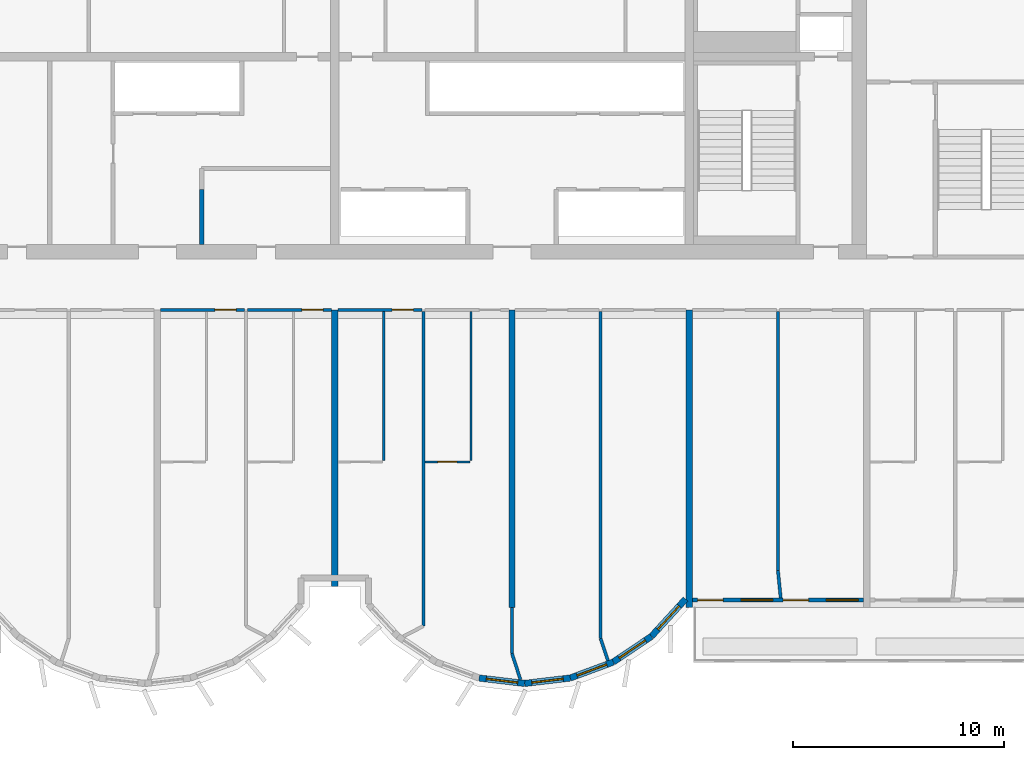
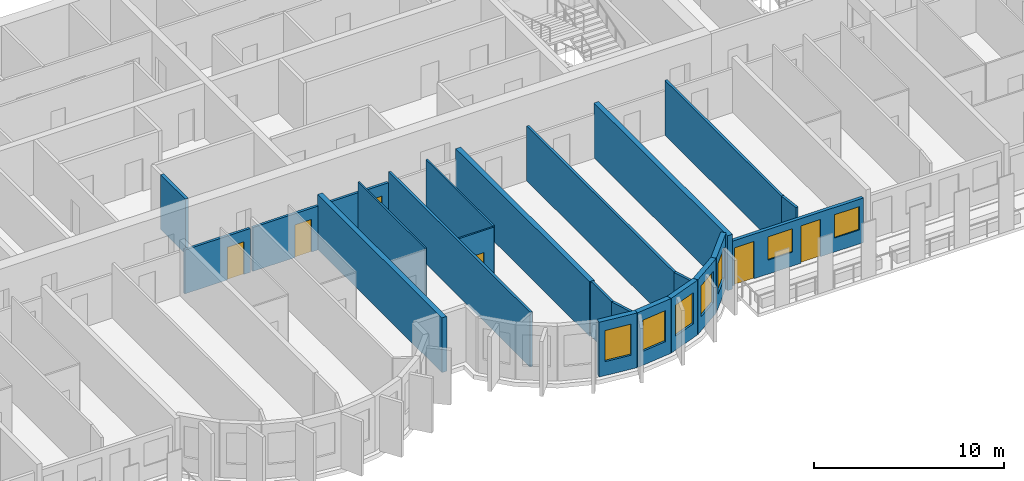
# One storey, part 5 of 13: 23 walls, 7 windows, 6 doors, 13 openings.
"""IFC4 building model written with IfcOpenShell, lengths in metres."""

from ifc_helpers import new_model, si_unit, direction, frame, frame_2d, origin, place, context, subcontext, project, spatial, rectangle, extrude, source, transform, mapped, material, layer, layer_set, type_object, element, fill, save


model = new_model("IFC4")

# Units and contexts
model_context = context("Model", 3, precision=1e-05, world=origin(), true_north=direction((0.0, 1.0)))
body_context = subcontext(model_context, "Body", "Model", "MODEL_VIEW")
ifc_project = project(units=[si_unit("LENGTHUNIT", "METRE"), si_unit("AREAUNIT", "SQUARE_METRE"), si_unit("VOLUMEUNIT", "CUBIC_METRE"), si_unit("PLANEANGLEUNIT", "RADIAN"), si_unit("MASSUNIT", "GRAM", prefix="KILO")], contexts=[model_context])

# Site, building, storey
site_placement = place(None, origin())
site = spatial("IfcSite", under=ifc_project, at=site_placement, CompositionType="ELEMENT")
building_placement = place(site_placement, origin())
building = spatial("IfcBuilding", under=site, at=building_placement, Name="Vanashikhar Sky Hotel", CompositionType="ELEMENT")
storey_placement = place(building_placement, frame((0.0, 0.0, 166.800048828125)))
storey = spatial("IfcBuildingStorey", under=building, at=storey_placement, Name="L40", CompositionType="ELEMENT", Elevation=166.800048828125)

# Walls
ifc_material_1 = material(Name="Concrete M60", Category="concrete")
ifc_layer_1 = layer(ifc_material_1, 0.300048828125)
ifc_layer_set_1 = layer_set([ifc_layer_1], Name="RC shear wall 300 Concrete M60")
wall_type_1 = type_object("IfcWallType", Name="RC shear wall 300 Concrete M60", PredefinedType="SHEAR", material=ifc_layer_set_1)
shared_shape_1 = source(origin(), body_context, "Body", "SweptSolid", [
    extrude(rectangle(XDim=14.10009765625, YDim=0.300048828125, at=frame_2d((7.050048828125, 0.0))), origin(), (0.0, 0.0, 1.0), 3.52001953125),
])
for number, where, z_axis, x_axis, name in (
    (1, (58.800048828125, 5.5, 0.0), (0.0, 0.0, 1.0), (0.0, 1.0, 0.0), "CW-L40-XW08-1"),
    (2, (67.199951171875, 5.5, 0.0), (0.0, 0.0, 1.0), (0.0, 1.0, 0.0), "CW-L40-XW09-1"),
):
    element("IfcWall", number, at=place(storey_placement, frame(where, z_axis=z_axis, x_axis=x_axis)), inside=storey, type_object=wall_type_1, Name=name, PredefinedType="SHEAR", context=body_context, shape_type="MappedRepresentation", body=[
        mapped(shared_shape_1, transform((0.0, 0.0, 0.0), scale=1.0)),
    ])
shared_shape_2 = source(origin(), body_context, "Body", "SweptSolid", [
    extrude(rectangle(XDim=13.10009765625, YDim=0.300048828125, at=frame_2d((6.550048828125, 0.0))), origin(), (0.0, 0.0, 1.0), 3.52001953125),
])
wall_1_placement = place(storey_placement, frame((50.39990234375, 6.5, 0.0), z_axis=(0.0, 0.0, 1.0), x_axis=(0.0, 1.0, 0.0)))
element("IfcWall", 3, at=wall_1_placement, inside=storey, type_object=wall_type_1, Name="CW-L40-XW07-1", PredefinedType="SHEAR", context=body_context, shape_type="MappedRepresentation", body=[
    mapped(shared_shape_2, transform((0.0, 0.0, 0.0), scale=1.0)),
])

# Wall, opening, window
ifc_material_2 = material(Name="Concrete M50", Category="concrete")
ifc_layer_2 = layer(ifc_material_2, 0.300048828125)
ifc_layer_set_2 = layer_set([ifc_layer_2], Name="Lobe wall 300")
wall_type_2 = type_object("IfcWallType", Name="Lobe wall 300", PredefinedType="SOLIDWALL", material=ifc_layer_set_2)
shared_shape_3 = source(origin(), body_context, "Body", "SweptSolid", [
    extrude(rectangle(XDim=2.398193359375, YDim=0.300048828125, at=frame_2d((1.19921875, 0.0))), origin(), (0.0, 0.0, 1.0), 3.52001953125),
])
wall_2_placement = place(storey_placement, frame((65.404296875, 4.13134765625, 0.0), z_axis=(0.0, 0.0, 1.0), x_axis=(0.675374189419, 0.737475222815, 0.0)))
wall_2 = element("IfcWall", 4, at=wall_2_placement, inside=storey, type_object=wall_type_2, Name="Lobe wall", PredefinedType="SOLIDWALL", context=body_context, shape_type="MappedRepresentation", body=[
    mapped(shared_shape_3, transform((0.0, 0.0, 0.0), scale=1.0)),
])
shared_shape_4 = source(origin(), body_context, "Body", "SweptSolid", [
    extrude(rectangle(XDim=1.5, YDim=2.0, at=frame_2d((0.75, 1.0))), frame((0.0, 0.16015625, 0.0), z_axis=(0.0, -1.0, 0.0), x_axis=(1.0, 0.0, 0.0)), (0.0, 0.0, 1.0), 0.320068359375),
])
opening_1_placement = place(wall_2_placement, frame((0.44921875, 0.0, 0.89990234375)))
opening_1 = element("IfcOpeningElement", 5, at=opening_1_placement, cuts=wall_2, Name="Opening WN-2", PredefinedType="OPENING", context=body_context, shape_type="MappedRepresentation", body=[
    mapped(shared_shape_4, transform((0.0, 0.0, 0.0), scale=1.0)),
])
ifc_material_3 = material(Name="Glass", Category="glass")
window_type_1 = type_object("IfcWindowType", Name="Lobe window 1500 x 2000", PartitioningType="SINGLE_PANEL", PredefinedType="WINDOW", material=ifc_material_3)
shared_shape_5 = source(origin(), body_context, "Body", "SweptSolid", [
    extrude(rectangle(XDim=1.5, YDim=2.0, at=frame_2d((0.75, 1.0))), frame((0.0, 0.030029296875, 0.0), z_axis=(0.0, -1.0, 0.0), x_axis=(1.0, 0.0, 0.0)), (0.0, 0.0, 1.0), 0.06005859375),
])
window_1_placement = place(opening_1_placement, origin())
window_1 = element("IfcWindow", 6, at=window_1_placement, inside=storey, type_object=window_type_1, Name="Window WN-2", OverallHeight=2.0, OverallWidth=1.5, PartitioningType="SINGLE_PANEL", PredefinedType="WINDOW", context=body_context, shape_type="MappedRepresentation", body=[
    mapped(shared_shape_5, transform((0.0, 0.0, 0.0), scale=1.0)),
])
fill(opening_1, window_1)

shared_shape_6 = source(origin(), body_context, "Body", "SweptSolid", [
    extrude(rectangle(XDim=2.17578125, YDim=0.300048828125, at=frame_2d((1.087890625, 0.0))), origin(), (0.0, 0.0, 1.0), 3.52001953125),
])
wall_3_placement = place(storey_placement, frame((63.59912109375, 2.91650390625, 0.0), z_axis=(0.0, 0.0, 1.0), x_axis=(0.829625727223, 0.558319937607, 0.0)))
wall_3 = element("IfcWall", 7, at=wall_3_placement, inside=storey, type_object=wall_type_2, Name="Lobe wall", PredefinedType="SOLIDWALL", context=body_context, shape_type="MappedRepresentation", body=[
    mapped(shared_shape_6, transform((0.0, 0.0, 0.0), scale=1.0)),
])
opening_2_placement = place(wall_3_placement, frame((0.337890625, 0.0, 0.89990234375)))
opening_2 = element("IfcOpeningElement", 8, at=opening_2_placement, cuts=wall_3, Name="Opening WN-2", PredefinedType="OPENING", context=body_context, shape_type="MappedRepresentation", body=[
    mapped(shared_shape_4, transform((0.0, 0.0, 0.0), scale=1.0)),
])
window_2_placement = place(opening_2_placement, origin())
window_2 = element("IfcWindow", 9, at=window_2_placement, inside=storey, type_object=window_type_1, Name="Window WN-2", OverallHeight=2.0, OverallWidth=1.5, PartitioningType="SINGLE_PANEL", PredefinedType="WINDOW", context=body_context, shape_type="MappedRepresentation", body=[
    mapped(shared_shape_5, transform((0.0, 0.0, 0.0), scale=1.0)),
])
fill(opening_2, window_2)

shared_shape_7 = source(origin(), body_context, "Body", "SweptSolid", [
    extrude(rectangle(XDim=2.174560546875, YDim=0.300048828125, at=frame_2d((1.08740234375, 0.0))), origin(), (0.0, 0.0, 1.0), 3.52001953125),
])
wall_4_placement = place(storey_placement, frame((57.240478515625, 2.15966796875, 0.0), z_axis=(0.0, 0.0, 1.0), x_axis=(0.993001132889, -0.118104826659, 0.0)))
wall_4 = element("IfcWall", 10, at=wall_4_placement, inside=storey, type_object=wall_type_2, Name="Lobe wall", PredefinedType="SOLIDWALL", context=body_context, shape_type="MappedRepresentation", body=[
    mapped(shared_shape_7, transform((0.0, 0.0, 0.0), scale=1.0)),
])
opening_3_placement = place(wall_4_placement, frame((0.33740234375, 0.0, 0.89990234375)))
opening_3 = element("IfcOpeningElement", 11, at=opening_3_placement, cuts=wall_4, Name="Opening WN-2", PredefinedType="OPENING", context=body_context, shape_type="MappedRepresentation", body=[
    mapped(shared_shape_4, transform((0.0, 0.0, 0.0), scale=1.0)),
])
window_3_placement = place(opening_3_placement, origin())
window_3 = element("IfcWindow", 12, at=window_3_placement, inside=storey, type_object=window_type_1, Name="Window WN-2", OverallHeight=2.0, OverallWidth=1.5, PartitioningType="SINGLE_PANEL", PredefinedType="WINDOW", context=body_context, shape_type="MappedRepresentation", body=[
    mapped(shared_shape_5, transform((0.0, 0.0, 0.0), scale=1.0)),
])
fill(opening_3, window_3)

shared_shape_8 = source(origin(), body_context, "Body", "SweptSolid", [
    extrude(rectangle(XDim=2.1748046875, YDim=0.300048828125, at=frame_2d((1.08740234375, 0.0))), origin(), (0.0, 0.0, 1.0), 3.52001953125),
])
wall_5_placement = place(storey_placement, frame((59.39990234375, 1.90283203125, 0.0), z_axis=(0.0, 0.0, 1.0), x_axis=(0.993002698611, 0.118091661648, 0.0)))
wall_5 = element("IfcWall", 13, at=wall_5_placement, inside=storey, type_object=wall_type_2, Name="Lobe wall", PredefinedType="SOLIDWALL", context=body_context, shape_type="MappedRepresentation", body=[
    mapped(shared_shape_8, transform((0.0, 0.0, 0.0), scale=1.0)),
])
opening_4_placement = place(wall_5_placement, frame((0.33740234375, 0.0, 0.89990234375)))
opening_4 = element("IfcOpeningElement", 14, at=opening_4_placement, cuts=wall_5, Name="Opening WN-2", PredefinedType="OPENING", context=body_context, shape_type="MappedRepresentation", body=[
    mapped(shared_shape_4, transform((0.0, 0.0, 0.0), scale=1.0)),
])
window_4_placement = place(opening_4_placement, origin())
window_4 = element("IfcWindow", 15, at=window_4_placement, inside=storey, type_object=window_type_1, Name="Window WN-2", OverallHeight=2.0, OverallWidth=1.5, PartitioningType="SINGLE_PANEL", PredefinedType="WINDOW", context=body_context, shape_type="MappedRepresentation", body=[
    mapped(shared_shape_5, transform((0.0, 0.0, 0.0), scale=1.0)),
])
fill(opening_4, window_4)

shared_shape_9 = source(origin(), body_context, "Body", "SweptSolid", [
    extrude(rectangle(XDim=2.175537109375, YDim=0.300048828125, at=frame_2d((1.087890625, 0.0))), origin(), (0.0, 0.0, 1.0), 3.52001953125),
])
wall_6_placement = place(storey_placement, frame((61.5595703125, 2.15966796875, 0.0), z_axis=(0.0, 0.0, 1.0), x_axis=(0.937531979054, 0.347899106424, 0.0)))
wall_6 = element("IfcWall", 16, at=wall_6_placement, inside=storey, type_object=wall_type_2, Name="Lobe wall", PredefinedType="SOLIDWALL", context=body_context, shape_type="MappedRepresentation", body=[
    mapped(shared_shape_9, transform((0.0, 0.0, 0.0), scale=1.0)),
])
opening_5_placement = place(wall_6_placement, frame((0.337890625, 0.0, 0.89990234375)))
opening_5 = element("IfcOpeningElement", 17, at=opening_5_placement, cuts=wall_6, Name="Opening WN-2", PredefinedType="OPENING", context=body_context, shape_type="MappedRepresentation", body=[
    mapped(shared_shape_4, transform((0.0, 0.0, 0.0), scale=1.0)),
])
window_5_placement = place(opening_5_placement, origin())
window_5 = element("IfcWindow", 18, at=window_5_placement, inside=storey, type_object=window_type_1, Name="Window WN-2", OverallHeight=2.0, OverallWidth=1.5, PartitioningType="SINGLE_PANEL", PredefinedType="WINDOW", context=body_context, shape_type="MappedRepresentation", body=[
    mapped(shared_shape_5, transform((0.0, 0.0, 0.0), scale=1.0)),
])
fill(opening_5, window_5)

# Wall, openings, windows, doors
ifc_layer_3 = layer(ifc_material_2, 0.199951171875)
ifc_layer_set_3 = layer_set([ifc_layer_3], Name="Front window wall 200")
wall_type_3 = type_object("IfcWallType", Name="Front window wall 200", PredefinedType="SOLIDWALL", material=ifc_layer_set_3)
shared_shape_10 = source(origin(), body_context, "Body", "SweptSolid", [
    extrude(rectangle(XDim=8.099853515625, YDim=0.199951171875, at=frame_2d((4.0498046875, 0.0))), origin(), (0.0, 0.0, 1.0), 2.869873046875),
])
wall_7_placement = place(storey_placement, frame((67.35009765625, 5.85009765625, 0.0), z_axis=(0.0, 0.0, 1.0), x_axis=(1.0, 0.0, 0.0)))
wall_7 = element("IfcWall", 19, at=wall_7_placement, inside=storey, type_object=wall_type_3, Name="Front window wall", PredefinedType="SOLIDWALL", context=body_context, shape_type="MappedRepresentation", body=[
    mapped(shared_shape_10, transform((0.0, 0.0, 0.0), scale=1.0)),
])
shared_shape_11 = source(origin(), body_context, "Body", "SweptSolid", [
    extrude(rectangle(XDim=1.199951171875, YDim=2.39990234375, at=frame_2d((0.60009765625, 1.199951171875))), frame((0.0, 0.10986328125, 0.0), z_axis=(0.0, -1.0, 0.0), x_axis=(1.0, 0.0, 0.0)), (0.0, 0.0, 1.0), 0.219970703125),
])
opening_6_placement = place(wall_7_placement, frame((0.25, 0.0, 0.0)))
opening_6 = element("IfcOpeningElement", 20, at=opening_6_placement, cuts=wall_7, Name="Opening BD-06", PredefinedType="OPENING", context=body_context, shape_type="MappedRepresentation", body=[
    mapped(shared_shape_11, transform((0.0, 0.0, 0.0), scale=1.0)),
])
shared_shape_12 = source(origin(), body_context, "Body", "SweptSolid", [
    extrude(rectangle(XDim=1.5, YDim=1.5, at=frame_2d((0.75, 0.75))), frame((0.0, 0.10986328125, 0.0), z_axis=(0.0, -1.0, 0.0), x_axis=(1.0, 0.0, 0.0)), (0.0, 0.0, 1.0), 0.219970703125),
])
opening_7_placement = place(wall_7_placement, frame((2.300048828125, 0.0, 0.89990234375)))
opening_7 = element("IfcOpeningElement", 21, at=opening_7_placement, cuts=wall_7, Name="Opening WN-1", PredefinedType="OPENING", context=body_context, shape_type="MappedRepresentation", body=[
    mapped(shared_shape_12, transform((0.0, 0.0, 0.0), scale=1.0)),
])
opening_8_placement = place(wall_7_placement, frame((4.300048828125, 0.0, 0.0)))
opening_8 = element("IfcOpeningElement", 22, at=opening_8_placement, cuts=wall_7, Name="Opening BD-07", PredefinedType="OPENING", context=body_context, shape_type="MappedRepresentation", body=[
    mapped(shared_shape_11, transform((0.0, 0.0, 0.0), scale=1.0)),
])
opening_9_placement = place(wall_7_placement, frame((6.35009765625, 0.0, 0.89990234375)))
opening_9 = element("IfcOpeningElement", 23, at=opening_9_placement, cuts=wall_7, Name="Opening WN-1", PredefinedType="OPENING", context=body_context, shape_type="MappedRepresentation", body=[
    mapped(shared_shape_12, transform((0.0, 0.0, 0.0), scale=1.0)),
])
window_type_2 = type_object("IfcWindowType", Name="Window 1500 x 1500", PartitioningType="SINGLE_PANEL", PredefinedType="WINDOW", material=ifc_material_3)
shared_shape_13 = source(origin(), body_context, "Body", "SweptSolid", [
    extrude(rectangle(XDim=1.5, YDim=1.5, at=frame_2d((0.75, 0.75))), frame((0.0, 0.030029296875, 0.0), z_axis=(0.0, -1.0, 0.0), x_axis=(1.0, 0.0, 0.0)), (0.0, 0.0, 1.0), 0.06005859375),
])
window_6_placement = place(opening_7_placement, origin())
window_6 = element("IfcWindow", 24, at=window_6_placement, inside=storey, type_object=window_type_2, Name="Window WN-1", OverallHeight=1.5, OverallWidth=1.5, PartitioningType="SINGLE_PANEL", PredefinedType="WINDOW", context=body_context, shape_type="MappedRepresentation", body=[
    mapped(shared_shape_13, transform((0.0, 0.0, 0.0), scale=1.0)),
])
fill(opening_7, window_6)
window_7_placement = place(opening_9_placement, origin())
window_7 = element("IfcWindow", 25, at=window_7_placement, inside=storey, type_object=window_type_2, Name="Window WN-1", OverallHeight=1.5, OverallWidth=1.5, PartitioningType="SINGLE_PANEL", PredefinedType="WINDOW", context=body_context, shape_type="MappedRepresentation", body=[
    mapped(shared_shape_13, transform((0.0, 0.0, 0.0), scale=1.0)),
])
fill(opening_9, window_7)
ifc_material_4 = material(Name="Aluminium", Category="aluminium")
door_type_1 = type_object("IfcDoorType", Name="Balcony sliding door 1200 x 2400", OperationType="NOTDEFINED", PredefinedType="DOOR", material=ifc_material_4)
shared_shape_14 = source(origin(), body_context, "Body", "SweptSolid", [
    extrude(rectangle(XDim=1.199951171875, YDim=2.39990234375, at=frame_2d((0.60009765625, 1.199951171875))), frame((0.0, 0.02490234375, 0.0), z_axis=(0.0, -1.0, 0.0), x_axis=(1.0, 0.0, 0.0)), (0.0, 0.0, 1.0), 0.050048828125),
])
door_1_placement = place(opening_6_placement, origin())
door_1 = element("IfcDoor", 26, at=door_1_placement, inside=storey, type_object=door_type_1, Name="Balcony sliding door", OperationType="SLIDING_TO_RIGHT", OverallHeight=2.39990234375, OverallWidth=1.199951171875, PredefinedType="DOOR", context=body_context, shape_type="MappedRepresentation", body=[
    mapped(shared_shape_14, transform((0.0, 0.0, 0.0), scale=1.0)),
])
fill(opening_6, door_1)
door_2_placement = place(opening_8_placement, origin())
door_2 = element("IfcDoor", 27, at=door_2_placement, inside=storey, type_object=door_type_1, Name="Balcony sliding door", OperationType="SLIDING_TO_LEFT", OverallHeight=2.39990234375, OverallWidth=1.199951171875, PredefinedType="DOOR", context=body_context, shape_type="MappedRepresentation", body=[
    mapped(shared_shape_14, transform((0.0, 0.0, 0.0), scale=1.0)),
])
fill(opening_8, door_2)

# Walls
ifc_material_5 = material(Name="Gypsum board partition")
ifc_layer_4 = layer(ifc_material_5, 0.14990234375)
ifc_layer_set_4 = layer_set([ifc_layer_4], Name="Service partition 150")
wall_type_4 = type_object("IfcWallType", Name="Service partition 150", PredefinedType="PARTITIONING", material=ifc_layer_set_4)
shared_shape_15 = source(origin(), body_context, "Body", "SweptSolid", [
    extrude(rectangle(XDim=2.60009765625, YDim=0.199951171875, at=frame_2d((1.300048828125, 0.0))), origin(), (0.0, 0.0, 1.0), 3.52001953125),
])
wall_8_placement = place(storey_placement, frame((44.10009765625, 22.699951171875, 0.0), z_axis=(0.0, 0.0, 1.0), x_axis=(0.0, 1.0, 0.0)))
element("IfcWall", 28, at=wall_8_placement, inside=storey, type_object=wall_type_4, Name="Service partition 150", PredefinedType="PARTITIONING", context=body_context, shape_type="MappedRepresentation", body=[
    mapped(shared_shape_15, transform((0.0, 0.0, 0.0), scale=1.0)),
])
ifc_material_6 = material(Name="Gypsum plasterboard partition")
ifc_layer_5 = layer(ifc_material_6, 0.10009765625)
ifc_layer_set_5 = layer_set([ifc_layer_5], Name="Wet room partition 100")
wall_type_5 = type_object("IfcWallType", Name="Wet room partition 100", PredefinedType="PARTITIONING", material=ifc_layer_set_5)
shared_shape_16 = source(origin(), body_context, "Body", "SweptSolid", [
    extrude(rectangle(XDim=7.0498046875, YDim=0.10009765625, at=frame_2d((3.52490234375, 0.0))), origin(), (0.0, 0.0, 1.0), 3.52001953125),
])
for number, where, z_axis, x_axis, name in (
    (29, (52.72509765625, 12.47509765625, 0.0), (0.0, 0.0, 1.0), (0.0, 1.0, 0.0), "W-L40-PW031"),
    (30, (56.85009765625, 12.47509765625, 0.0), (0.0, 0.0, 1.0), (0.0, 1.0, 0.0), "W-L40-PW034"),
):
    element("IfcWall", number, at=place(storey_placement, frame(where, z_axis=z_axis, x_axis=x_axis)), inside=storey, type_object=wall_type_5, Name=name, PredefinedType="PARTITIONING", context=body_context, shape_type="MappedRepresentation", body=[
        mapped(shared_shape_16, transform((0.0, 0.0, 0.0), scale=1.0)),
    ])
ifc_layer_6 = layer(ifc_material_6, 0.14990234375)
ifc_layer_set_6 = layer_set([ifc_layer_6], Name="Corridor and demising partition 150")
wall_type_6 = type_object("IfcWallType", Name="Corridor and demising partition 150", PredefinedType="PARTITIONING", material=ifc_layer_set_6)
shared_shape_17 = source(origin(), body_context, "Body", "SweptSolid", [
    extrude(rectangle(XDim=2.177978515625, YDim=0.14990234375, at=frame_2d((1.0888671875, 0.0))), origin(), (0.0, 0.0, 1.0), 3.52001953125),
])
wall_9_placement = place(storey_placement, frame((58.800048828125, 3.322021484375, 0.0), z_axis=(0.0, 0.0, 1.0), x_axis=(0.0, 1.0, 0.0)))
element("IfcWall", 31, at=wall_9_placement, inside=storey, type_object=wall_type_6, Name="W-L40-PW058", PredefinedType="PARTITIONING", context=body_context, shape_type="MappedRepresentation", body=[
    mapped(shared_shape_17, transform((0.0, 0.0, 0.0), scale=1.0)),
])
shared_shape_18 = source(origin(), body_context, "Body", "SweptSolid", [
    extrude(rectangle(XDim=1.100830078125, YDim=0.14990234375, at=frame_2d((0.55029296875, 0.0))), origin(), (0.0, 0.0, 1.0), 3.52001953125),
])
wall_10_placement = place(storey_placement, frame((63.343017578125, 2.98095703125, 0.0), z_axis=(0.0, 0.0, 1.0), x_axis=(-0.311567081539, 0.950224159712, 0.0)))
element("IfcWall", 32, at=wall_10_placement, inside=storey, type_object=wall_type_6, Name="W-L40-PW040B0", PredefinedType="PARTITIONING", context=body_context, shape_type="MappedRepresentation", body=[
    mapped(shared_shape_18, transform((0.0, 0.0, 0.0), scale=1.0)),
])
shared_shape_19 = source(origin(), body_context, "Body", "SweptSolid", [
    extrude(rectangle(XDim=1.308349609375, YDim=0.14990234375, at=frame_2d((0.654296875, 0.0))), origin(), (0.0, 0.0, 1.0), 3.52001953125),
])
wall_11_placement = place(storey_placement, frame((59.201904296875, 2.076904296875, 0.0), z_axis=(0.0, 0.0, 1.0), x_axis=(-0.307144529633, 0.951662880392, 0.0)))
element("IfcWall", 33, at=wall_11_placement, inside=storey, type_object=wall_type_6, Name="W-L40-PW058B0", PredefinedType="PARTITIONING", context=body_context, shape_type="MappedRepresentation", body=[
    mapped(shared_shape_19, transform((0.0, 0.0, 0.0), scale=1.0)),
])
shared_shape_20 = source(origin(), body_context, "Body", "SweptSolid", [
    extrude(rectangle(XDim=12.27490234375, YDim=0.14990234375, at=frame_2d((6.137451171875, 0.0))), origin(), (0.0, 0.0, 1.0), 3.52001953125),
])
wall_12_placement = place(storey_placement, frame((71.39990234375, 7.25, 0.0), z_axis=(0.0, 0.0, 1.0), x_axis=(0.0, 1.0, 0.0)))
element("IfcWall", 34, at=wall_12_placement, inside=storey, type_object=wall_type_6, Name="W-L40-PW043", PredefinedType="PARTITIONING", context=body_context, shape_type="MappedRepresentation", body=[
    mapped(shared_shape_20, transform((0.0, 0.0, 0.0), scale=1.0)),
])
shared_shape_21 = source(origin(), body_context, "Body", "SweptSolid", [
    extrude(rectangle(XDim=15.497802734375, YDim=0.14990234375, at=frame_2d((7.7490234375, 0.0))), origin(), (0.0, 0.0, 1.0), 3.52001953125),
])
wall_13_placement = place(storey_placement, frame((63.0, 4.027099609375, 0.0), z_axis=(0.0, 0.0, 1.0), x_axis=(0.0, 1.0, 0.0)))
element("IfcWall", 35, at=wall_13_placement, inside=storey, type_object=wall_type_6, Name="W-L40-PW040", PredefinedType="PARTITIONING", context=body_context, shape_type="MappedRepresentation", body=[
    mapped(shared_shape_21, transform((0.0, 0.0, 0.0), scale=1.0)),
])
shared_shape_22 = source(origin(), body_context, "Body", "SweptSolid", [
    extrude(rectangle(XDim=14.906005859375, YDim=0.14990234375, at=frame_2d((7.453125, 0.0))), origin(), (0.0, 0.0, 1.0), 3.52001953125),
])
wall_14_placement = place(storey_placement, frame((54.60009765625, 4.618896484375, 0.0), z_axis=(0.0, 0.0, 1.0), x_axis=(0.0, 1.0, 0.0)))
element("IfcWall", 36, at=wall_14_placement, inside=storey, type_object=wall_type_6, Name="W-L40-PW037", PredefinedType="PARTITIONING", context=body_context, shape_type="MappedRepresentation", body=[
    mapped(shared_shape_22, transform((0.0, 0.0, 0.0), scale=1.0)),
])
shared_shape_23 = source(origin(), body_context, "Body", "SweptSolid", [
    extrude(rectangle(XDim=1.306640625, YDim=0.14990234375, at=frame_2d((0.6533203125, 0.0))), origin(), (0.0, 0.0, 1.0), 3.52001953125),
])
wall_15_placement = place(storey_placement, frame((71.530029296875, 5.949951171875, 0.0), z_axis=(0.0, 0.0, 1.0), x_axis=(-0.099596223396, 0.99502793543, 0.0)))
element("IfcWall", 37, at=wall_15_placement, inside=storey, type_object=wall_type_6, Name="W-L40-PW043B0", PredefinedType="PARTITIONING", context=body_context, shape_type="MappedRepresentation", body=[
    mapped(shared_shape_23, transform((0.0, 0.0, 0.0), scale=1.0)),
])

# Wall, opening, door
shared_shape_24 = source(origin(), body_context, "Body", "SweptSolid", [
    extrude(rectangle(XDim=2.125, YDim=0.10009765625, at=frame_2d((1.0625, 0.0))), origin(), (0.0, 0.0, 1.0), 3.52001953125),
])
wall_16_placement = place(storey_placement, frame((54.675048828125, 12.39990234375, 0.0), z_axis=(0.0, 0.0, 1.0), x_axis=(1.0, 0.0, 0.0)))
wall_16 = element("IfcWall", 38, at=wall_16_placement, inside=storey, type_object=wall_type_5, Name="W-L40-PW035", PredefinedType="PARTITIONING", context=body_context, shape_type="MappedRepresentation", body=[
    mapped(shared_shape_24, transform((0.0, 0.0, 0.0), scale=1.0)),
])
shared_shape_25 = source(origin(), body_context, "Body", "SweptSolid", [
    extrude(rectangle(XDim=0.89990234375, YDim=2.10009765625, at=frame_2d((0.449951171875, 1.050048828125))), frame((0.0, 0.06005859375, 0.0), z_axis=(0.0, -1.0, 0.0), x_axis=(1.0, 0.0, 0.0)), (0.0, 0.0, 1.0), 0.1201171875),
])
opening_10_placement = place(wall_16_placement, frame((0.613037109375, 0.0, 0.0)))
opening_10 = element("IfcOpeningElement", 39, at=opening_10_placement, cuts=wall_16, Name="Opening D-02", PredefinedType="OPENING", context=body_context, shape_type="MappedRepresentation", body=[
    mapped(shared_shape_25, transform((0.0, 0.0, 0.0), scale=1.0)),
])
ifc_material_7 = material(Name="Timber door", Category="wood")
door_type_2 = type_object("IfcDoorType", Name="Internal door 900", OperationType="NOTDEFINED", PredefinedType="DOOR", material=ifc_material_7)
shared_shape_26 = source(origin(), body_context, "Body", "SweptSolid", [
    extrude(rectangle(XDim=0.89990234375, YDim=2.10009765625, at=frame_2d((0.449951171875, 1.050048828125))), frame((0.0, 0.02490234375, 0.0), z_axis=(0.0, -1.0, 0.0), x_axis=(1.0, 0.0, 0.0)), (0.0, 0.0, 1.0), 0.050048828125),
])
door_3_placement = place(opening_10_placement, origin())
door_3 = element("IfcDoor", 40, at=door_3_placement, inside=storey, type_object=door_type_2, Name="D-L40-021", OperationType="SINGLE_SWING_RIGHT", OverallHeight=2.10009765625, OverallWidth=0.89990234375, PredefinedType="DOOR", context=body_context, shape_type="MappedRepresentation", body=[
    mapped(shared_shape_26, transform((0.0, 0.0, 0.0), scale=1.0)),
])
fill(opening_10, door_3)

shared_shape_27 = source(origin(), body_context, "Body", "SweptSolid", [
    extrude(rectangle(XDim=3.974853515625, YDim=0.14990234375, at=frame_2d((1.9873046875, 0.0))), origin(), (0.0, 0.0, 1.0), 2.820068359375),
])
wall_17_placement = place(storey_placement, frame((50.550048828125, 19.60009765625, 0.0), z_axis=(0.0, 0.0, 1.0), x_axis=(1.0, 0.0, 0.0)))
wall_17 = element("IfcWall", 41, at=wall_17_placement, inside=storey, type_object=wall_type_6, Name="W-L40-PW033", PredefinedType="PARTITIONING", context=body_context, shape_type="MappedRepresentation", body=[
    mapped(shared_shape_27, transform((0.0, 0.0, 0.0), scale=1.0)),
])
shared_shape_28 = source(origin(), body_context, "Body", "SweptSolid", [
    extrude(rectangle(XDim=1.0, YDim=2.10009765625, at=frame_2d((0.5, 1.050048828125))), frame((0.0, 0.0849609375, 0.0), z_axis=(0.0, -1.0, 0.0), x_axis=(1.0, 0.0, 0.0)), (0.0, 0.0, 1.0), 0.169921875),
])
opening_11_placement = place(wall_17_placement, frame((2.574951171875, 0.0, 0.0)))
opening_11 = element("IfcOpeningElement", 42, at=opening_11_placement, cuts=wall_17, Name="Opening D-01", PredefinedType="OPENING", context=body_context, shape_type="MappedRepresentation", body=[
    mapped(shared_shape_28, transform((0.0, 0.0, 0.0), scale=1.0)),
])
ifc_material_8 = material(Name="Timber fire door", Category="wood")
door_type_3 = type_object("IfcDoorType", Name="Guest entry door 1000 FD30S", OperationType="NOTDEFINED", PredefinedType="DOOR", material=ifc_material_8)
shared_shape_29 = source(origin(), body_context, "Body", "SweptSolid", [
    extrude(rectangle(XDim=1.0, YDim=2.10009765625, at=frame_2d((0.5, 1.050048828125))), frame((0.0, 0.02490234375, 0.0), z_axis=(0.0, -1.0, 0.0), x_axis=(1.0, 0.0, 0.0)), (0.0, 0.0, 1.0), 0.050048828125),
])
door_4_placement = place(opening_11_placement, origin())
door_4 = element("IfcDoor", 43, at=door_4_placement, inside=storey, type_object=door_type_3, Name="D-L40-020", OperationType="SINGLE_SWING_RIGHT", OverallHeight=2.10009765625, OverallWidth=1.0, PredefinedType="DOOR", context=body_context, shape_type="MappedRepresentation", body=[
    mapped(shared_shape_29, transform((0.0, 0.0, 0.0), scale=1.0)),
])
fill(opening_11, door_4)

shared_shape_30 = source(origin(), body_context, "Body", "SweptSolid", [
    extrude(rectangle(XDim=3.97509765625, YDim=0.14990234375, at=frame_2d((1.987548828125, 0.0))), origin(), (0.0, 0.0, 1.0), 2.820068359375),
])
wall_18_placement = place(storey_placement, frame((42.14990234375, 19.60009765625, 0.0), z_axis=(0.0, 0.0, 1.0), x_axis=(1.0, 0.0, 0.0)))
wall_18 = element("IfcWall", 44, at=wall_18_placement, inside=storey, type_object=wall_type_6, Name="W-L40-PW026", PredefinedType="PARTITIONING", context=body_context, shape_type="MappedRepresentation", body=[
    mapped(shared_shape_30, transform((0.0, 0.0, 0.0), scale=1.0)),
])
opening_12_placement = place(wall_18_placement, frame((2.574951171875, 0.0, 0.0)))
opening_12 = element("IfcOpeningElement", 45, at=opening_12_placement, cuts=wall_18, Name="Opening D-01", PredefinedType="OPENING", context=body_context, shape_type="MappedRepresentation", body=[
    mapped(shared_shape_28, transform((0.0, 0.0, 0.0), scale=1.0)),
])
door_5_placement = place(opening_12_placement, origin())
door_5 = element("IfcDoor", 46, at=door_5_placement, inside=storey, type_object=door_type_3, Name="D-L40-016", OperationType="SINGLE_SWING_RIGHT", OverallHeight=2.10009765625, OverallWidth=1.0, PredefinedType="DOOR", context=body_context, shape_type="MappedRepresentation", body=[
    mapped(shared_shape_29, transform((0.0, 0.0, 0.0), scale=1.0)),
])
fill(opening_12, door_5)

wall_19_placement = place(storey_placement, frame((46.27490234375, 19.60009765625, 0.0), z_axis=(0.0, 0.0, 1.0), x_axis=(1.0, 0.0, 0.0)))
wall_19 = element("IfcWall", 47, at=wall_19_placement, inside=storey, type_object=wall_type_6, Name="W-L40-PW029", PredefinedType="PARTITIONING", context=body_context, shape_type="MappedRepresentation", body=[
    mapped(shared_shape_30, transform((0.0, 0.0, 0.0), scale=1.0)),
])
opening_13_placement = place(wall_19_placement, frame((2.574951171875, 0.0, 0.0)))
opening_13 = element("IfcOpeningElement", 48, at=opening_13_placement, cuts=wall_19, Name="Opening D-01", PredefinedType="OPENING", context=body_context, shape_type="MappedRepresentation", body=[
    mapped(shared_shape_28, transform((0.0, 0.0, 0.0), scale=1.0)),
])
door_6_placement = place(opening_13_placement, origin())
door_6 = element("IfcDoor", 49, at=door_6_placement, inside=storey, type_object=door_type_3, Name="D-L40-018", OperationType="SINGLE_SWING_RIGHT", OverallHeight=2.10009765625, OverallWidth=1.0, PredefinedType="DOOR", context=body_context, shape_type="MappedRepresentation", body=[
    mapped(shared_shape_29, transform((0.0, 0.0, 0.0), scale=1.0)),
])
fill(opening_13, door_6)

save(model, "model.ifc")
